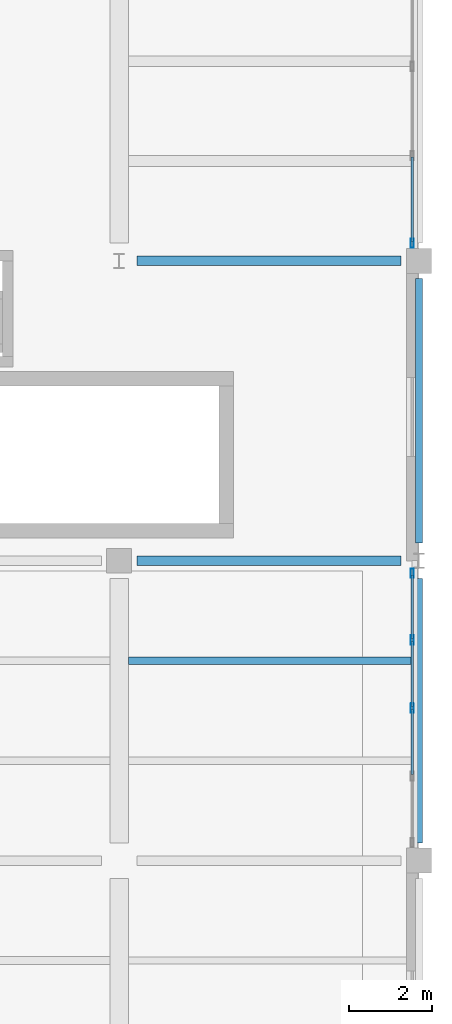
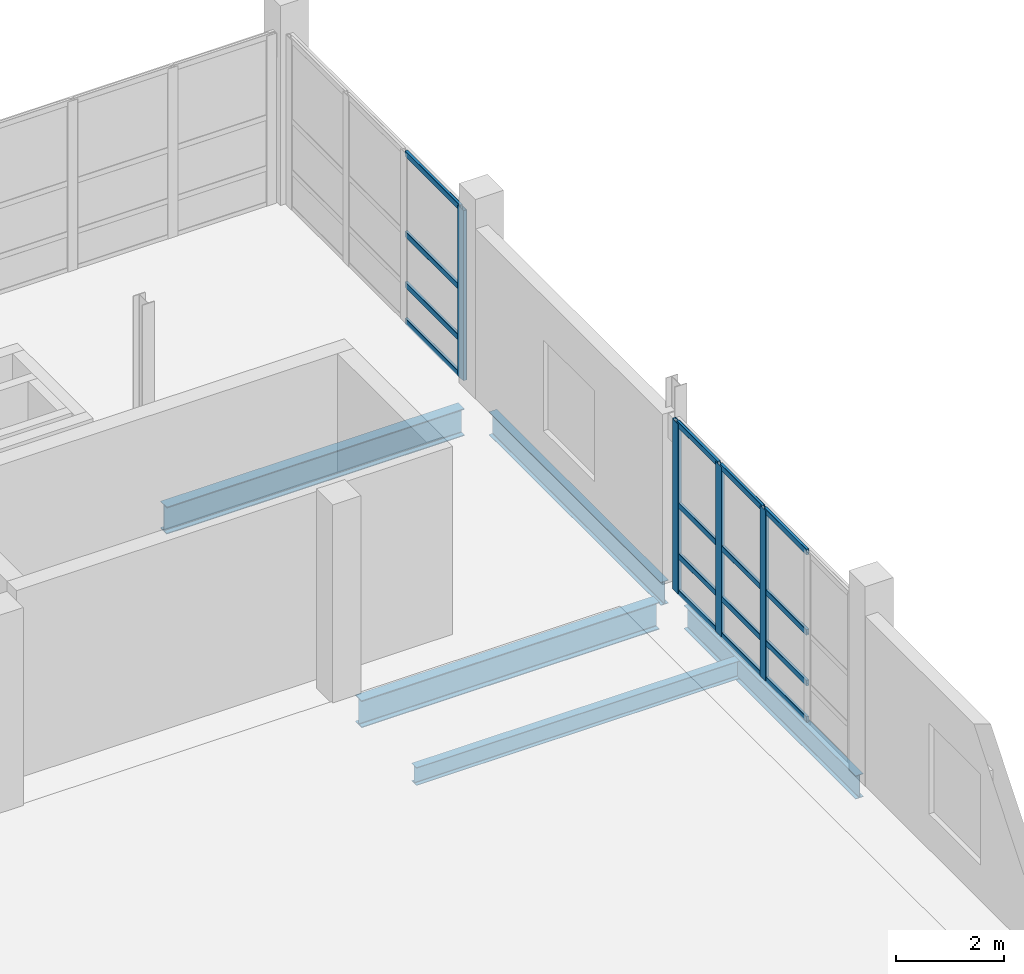
# One storey, part 68 of 123: 20 members, 5 beams, 2 elements without a shape of their own.
"""IFC4 building model written with IfcOpenShell, lengths in metres."""

from ifc_helpers import new_model, si_unit, direction, frame, origin, origin_2d, place, context, subcontext, project, spatial, hollow_rectangle, i_section, extrude, material, material_profile, profile_set, type_object, element, aggregate, save


model = new_model("IFC4")

# Units and contexts
model_context = context("Model", 3, precision=1e-05, world=origin(), true_north=direction((0.0, 1.0)))
body_context = subcontext(model_context, "Body", "Model", "MODEL_VIEW")
ifc_project = project(units=[si_unit("LENGTHUNIT", "METRE"), si_unit("AREAUNIT", "SQUARE_METRE"), si_unit("VOLUMEUNIT", "CUBIC_METRE"), si_unit("PLANEANGLEUNIT", "RADIAN"), si_unit("MASSUNIT", "GRAM", prefix="KILO")], contexts=[model_context])

# Site, building, storey
site_placement = place(None, origin())
site = spatial("IfcSite", under=ifc_project, at=site_placement, CompositionType="ELEMENT")
building_placement = place(site_placement, origin())
building = spatial("IfcBuilding", under=site, at=building_placement, Name="Kalmorath City Hall", CompositionType="ELEMENT")
storey_placement = place(building_placement, frame((0.0, 0.0, 10.199951171875)))
storey = spatial("IfcBuildingStorey", under=building, at=storey_placement, Name="L02", CompositionType="ELEMENT", Elevation=10.199951171875)

# Curtain wall, members
ifc_material_1 = material(Name="Anodised aluminium and laminated glass", Category="aluminium")
curtain_wall_type_1 = type_object("IfcCurtainWallType", Name="Unitised hurricane curtain wall 6420x3835 M1850", PredefinedType="NOTDEFINED", material=ifc_material_1)
curtain_wall_1_placement = place(storey_placement, origin())
curtain_wall_1 = element("IfcCurtainWall", 1, at=curtain_wall_1_placement, inside=storey, type_object=curtain_wall_type_1, Name="L02 curtain wall CW-64X38M18 #117", PredefinedType="NOTDEFINED")
ifc_material_2 = material(Name="Anodised aluminium framing", Category="aluminium")
ifc_material_profile_1 = material_profile(ifc_material_2, hollow_rectangle(XDim=0.06005859375, YDim=0.1298828125, WallThickness=0.00341796875, InnerFilletRadius=0.00341796875, OuterFilletRadius=0.007080078125, at=origin_2d()), Name="ALU-TRN-130X60X3.5")
ifc_profile_set_1 = profile_set([ifc_material_profile_1], Name="Anodised aluminium framing")
member_type_1 = type_object("IfcMemberType", Name="Curtain-wall courtyard transom 130x60", PredefinedType="USERDEFINED", material=ifc_profile_set_1)
member_1_placement = place(storey_placement, frame((165.43994140625, 96.092529296875, 0.030029296875), z_axis=(0.0, -1.0, 0.0), x_axis=(1.0, 0.0, 0.0)))
member_1 = element("IfcMember", 2, at=member_1_placement, type_object=member_type_1, Name="CW-64X38M18 transom 3.1", ObjectType="TRANSOM", PredefinedType="USERDEFINED", context=body_context, shape_type="SweptSolid", body=[
    extrude(hollow_rectangle(XDim=0.06005859375, YDim=0.1298828125, WallThickness=0.00341796875, InnerFilletRadius=0.00341796875, OuterFilletRadius=0.007080078125, at=origin_2d()), origin(), (0.0, 0.0, 1.0), 2.027587890625),
])
member_2_placement = place(storey_placement, frame((165.43994140625, 96.092529296875, 0.85009765625), z_axis=(0.0, -1.0, 0.0), x_axis=(1.0, 0.0, 0.0)))
member_2 = element("IfcMember", 3, at=member_2_placement, type_object=member_type_1, Name="CW-64X38M18 transom 3.2", ObjectType="TRANSOM", PredefinedType="USERDEFINED", context=body_context, shape_type="SweptSolid", body=[
    extrude(hollow_rectangle(XDim=0.06005859375, YDim=0.1298828125, WallThickness=0.00341796875, InnerFilletRadius=0.00341796875, OuterFilletRadius=0.007080078125, at=origin_2d()), origin(), (0.0, 0.0, 1.0), 2.027587890625),
])
member_3_placement = place(storey_placement, frame((165.43994140625, 96.092529296875, 1.994140625), z_axis=(0.0, -1.0, 0.0), x_axis=(1.0, 0.0, 0.0)))
member_3 = element("IfcMember", 4, at=member_3_placement, type_object=member_type_1, Name="CW-64X38M18 transom 3.3", ObjectType="TRANSOM", PredefinedType="USERDEFINED", context=body_context, shape_type="SweptSolid", body=[
    extrude(hollow_rectangle(XDim=0.06005859375, YDim=0.1298828125, WallThickness=0.00341796875, InnerFilletRadius=0.00341796875, OuterFilletRadius=0.007080078125, at=origin_2d()), origin(), (0.0, 0.0, 1.0), 2.027587890625),
])
member_4_placement = place(storey_placement, frame((165.43994140625, 96.092529296875, 3.804931640625), z_axis=(0.0, -1.0, 0.0), x_axis=(1.0, 0.0, 0.0)))
member_4 = element("IfcMember", 5, at=member_4_placement, type_object=member_type_1, Name="CW-64X38M18 transom 3.4", ObjectType="TRANSOM", PredefinedType="USERDEFINED", context=body_context, shape_type="SweptSolid", body=[
    extrude(hollow_rectangle(XDim=0.06005859375, YDim=0.1298828125, WallThickness=0.00341796875, InnerFilletRadius=0.00341796875, OuterFilletRadius=0.007080078125, at=origin_2d()), origin(), (0.0, 0.0, 1.0), 2.027587890625),
])

ifc_material_3 = material(Name="Anodised aluminium and laminated glass", Category="aluminium")
curtain_wall_type_2 = type_object("IfcCurtainWallType", Name="Unitised hurricane curtain wall 6544x3835 M1850", PredefinedType="NOTDEFINED", material=ifc_material_3)
curtain_wall_2_placement = place(storey_placement, origin())
curtain_wall_2 = element("IfcCurtainWall", 6, at=curtain_wall_2_placement, inside=storey, type_object=curtain_wall_type_2, Name="L02 curtain wall CW-65X38M18 #118", PredefinedType="NOTDEFINED")
member_5_placement = place(storey_placement, frame((165.43994140625, 86.05859375, 0.030029296875), z_axis=(0.0, -1.0, 0.0), x_axis=(1.0, 0.0, 0.0)))
member_5 = element("IfcMember", 7, at=member_5_placement, type_object=member_type_1, Name="CW-65X38M18 transom 1.1", ObjectType="TRANSOM", PredefinedType="USERDEFINED", context=body_context, shape_type="SweptSolid", body=[
    extrude(hollow_rectangle(XDim=0.06005859375, YDim=0.1298828125, WallThickness=0.00341796875, InnerFilletRadius=0.00341796875, OuterFilletRadius=0.007080078125, at=origin_2d()), origin(), (0.0, 0.0, 1.0), 1.5234375),
])
member_6_placement = place(storey_placement, frame((165.43994140625, 86.05859375, 0.85009765625), z_axis=(0.0, -1.0, 0.0), x_axis=(1.0, 0.0, 0.0)))
member_6 = element("IfcMember", 8, at=member_6_placement, type_object=member_type_1, Name="CW-65X38M18 transom 1.2", ObjectType="TRANSOM", PredefinedType="USERDEFINED", context=body_context, shape_type="SweptSolid", body=[
    extrude(hollow_rectangle(XDim=0.06005859375, YDim=0.1298828125, WallThickness=0.00341796875, InnerFilletRadius=0.00341796875, OuterFilletRadius=0.007080078125, at=origin_2d()), origin(), (0.0, 0.0, 1.0), 1.5234375),
])
member_7_placement = place(storey_placement, frame((165.43994140625, 86.05859375, 1.994140625), z_axis=(0.0, -1.0, 0.0), x_axis=(1.0, 0.0, 0.0)))
member_7 = element("IfcMember", 9, at=member_7_placement, type_object=member_type_1, Name="CW-65X38M18 transom 1.3", ObjectType="TRANSOM", PredefinedType="USERDEFINED", context=body_context, shape_type="SweptSolid", body=[
    extrude(hollow_rectangle(XDim=0.06005859375, YDim=0.1298828125, WallThickness=0.00341796875, InnerFilletRadius=0.00341796875, OuterFilletRadius=0.007080078125, at=origin_2d()), origin(), (0.0, 0.0, 1.0), 1.5234375),
])
member_8_placement = place(storey_placement, frame((165.43994140625, 86.05859375, 3.804931640625), z_axis=(0.0, -1.0, 0.0), x_axis=(1.0, 0.0, 0.0)))
member_8 = element("IfcMember", 10, at=member_8_placement, type_object=member_type_1, Name="CW-65X38M18 transom 1.4", ObjectType="TRANSOM", PredefinedType="USERDEFINED", context=body_context, shape_type="SweptSolid", body=[
    extrude(hollow_rectangle(XDim=0.06005859375, YDim=0.1298828125, WallThickness=0.00341796875, InnerFilletRadius=0.00341796875, OuterFilletRadius=0.007080078125, at=origin_2d()), origin(), (0.0, 0.0, 1.0), 1.5234375),
])
member_9_placement = place(storey_placement, frame((165.43994140625, 84.460205078125, 0.030029296875), z_axis=(0.0, -1.0, 0.0), x_axis=(1.0, 0.0, 0.0)))
member_9 = element("IfcMember", 11, at=member_9_placement, type_object=member_type_1, Name="CW-65X38M18 transom 2.1", ObjectType="TRANSOM", PredefinedType="USERDEFINED", context=body_context, shape_type="SweptSolid", body=[
    extrude(hollow_rectangle(XDim=0.06005859375, YDim=0.1298828125, WallThickness=0.00341796875, InnerFilletRadius=0.00341796875, OuterFilletRadius=0.007080078125, at=origin_2d()), origin(), (0.0, 0.0, 1.0), 1.56103515625),
])
member_10_placement = place(storey_placement, frame((165.43994140625, 84.460205078125, 0.85009765625), z_axis=(0.0, -1.0, 0.0), x_axis=(1.0, 0.0, 0.0)))
member_10 = element("IfcMember", 12, at=member_10_placement, type_object=member_type_1, Name="CW-65X38M18 transom 2.2", ObjectType="TRANSOM", PredefinedType="USERDEFINED", context=body_context, shape_type="SweptSolid", body=[
    extrude(hollow_rectangle(XDim=0.06005859375, YDim=0.1298828125, WallThickness=0.00341796875, InnerFilletRadius=0.00341796875, OuterFilletRadius=0.007080078125, at=origin_2d()), origin(), (0.0, 0.0, 1.0), 1.56103515625),
])
member_11_placement = place(storey_placement, frame((165.43994140625, 84.460205078125, 1.994140625), z_axis=(0.0, -1.0, 0.0), x_axis=(1.0, 0.0, 0.0)))
member_11 = element("IfcMember", 13, at=member_11_placement, type_object=member_type_1, Name="CW-65X38M18 transom 2.3", ObjectType="TRANSOM", PredefinedType="USERDEFINED", context=body_context, shape_type="SweptSolid", body=[
    extrude(hollow_rectangle(XDim=0.06005859375, YDim=0.1298828125, WallThickness=0.00341796875, InnerFilletRadius=0.00341796875, OuterFilletRadius=0.007080078125, at=origin_2d()), origin(), (0.0, 0.0, 1.0), 1.56103515625),
])
member_12_placement = place(storey_placement, frame((165.43994140625, 84.460205078125, 3.804931640625), z_axis=(0.0, -1.0, 0.0), x_axis=(1.0, 0.0, 0.0)))
member_12 = element("IfcMember", 14, at=member_12_placement, type_object=member_type_1, Name="CW-65X38M18 transom 2.4", ObjectType="TRANSOM", PredefinedType="USERDEFINED", context=body_context, shape_type="SweptSolid", body=[
    extrude(hollow_rectangle(XDim=0.06005859375, YDim=0.1298828125, WallThickness=0.00341796875, InnerFilletRadius=0.00341796875, OuterFilletRadius=0.007080078125, at=origin_2d()), origin(), (0.0, 0.0, 1.0), 1.56103515625),
])
member_13_placement = place(storey_placement, frame((165.43994140625, 82.82421875, 0.030029296875), z_axis=(0.0, -1.0, 0.0), x_axis=(1.0, 0.0, 0.0)))
member_13 = element("IfcMember", 15, at=member_13_placement, type_object=member_type_1, Name="CW-65X38M18 transom 3.1", ObjectType="TRANSOM", PredefinedType="USERDEFINED", context=body_context, shape_type="SweptSolid", body=[
    extrude(hollow_rectangle(XDim=0.06005859375, YDim=0.1298828125, WallThickness=0.00341796875, InnerFilletRadius=0.00341796875, OuterFilletRadius=0.007080078125, at=origin_2d()), origin(), (0.0, 0.0, 1.0), 1.560791015625),
])
member_14_placement = place(storey_placement, frame((165.43994140625, 82.82421875, 0.85009765625), z_axis=(0.0, -1.0, 0.0), x_axis=(1.0, 0.0, 0.0)))
member_14 = element("IfcMember", 16, at=member_14_placement, type_object=member_type_1, Name="CW-65X38M18 transom 3.2", ObjectType="TRANSOM", PredefinedType="USERDEFINED", context=body_context, shape_type="SweptSolid", body=[
    extrude(hollow_rectangle(XDim=0.06005859375, YDim=0.1298828125, WallThickness=0.00341796875, InnerFilletRadius=0.00341796875, OuterFilletRadius=0.007080078125, at=origin_2d()), origin(), (0.0, 0.0, 1.0), 1.560791015625),
])
member_15_placement = place(storey_placement, frame((165.43994140625, 82.82421875, 1.994140625), z_axis=(0.0, -1.0, 0.0), x_axis=(1.0, 0.0, 0.0)))
member_15 = element("IfcMember", 17, at=member_15_placement, type_object=member_type_1, Name="CW-65X38M18 transom 3.3", ObjectType="TRANSOM", PredefinedType="USERDEFINED", context=body_context, shape_type="SweptSolid", body=[
    extrude(hollow_rectangle(XDim=0.06005859375, YDim=0.1298828125, WallThickness=0.00341796875, InnerFilletRadius=0.00341796875, OuterFilletRadius=0.007080078125, at=origin_2d()), origin(), (0.0, 0.0, 1.0), 1.560791015625),
])
member_16_placement = place(storey_placement, frame((165.43994140625, 82.82421875, 3.804931640625), z_axis=(0.0, -1.0, 0.0), x_axis=(1.0, 0.0, 0.0)))
member_16 = element("IfcMember", 18, at=member_16_placement, type_object=member_type_1, Name="CW-65X38M18 transom 3.4", ObjectType="TRANSOM", PredefinedType="USERDEFINED", context=body_context, shape_type="SweptSolid", body=[
    extrude(hollow_rectangle(XDim=0.06005859375, YDim=0.1298828125, WallThickness=0.00341796875, InnerFilletRadius=0.00341796875, OuterFilletRadius=0.007080078125, at=origin_2d()), origin(), (0.0, 0.0, 1.0), 1.560791015625),
])

# Member
ifc_material_4 = material(Name="Anodised aluminium framing", Category="aluminium")
ifc_material_profile_2 = material_profile(ifc_material_4, hollow_rectangle(XDim=0.074951171875, YDim=0.219970703125, WallThickness=0.00390625, InnerFilletRadius=0.00390625, OuterFilletRadius=0.008056640625, at=origin_2d()), Name="ALU-MUL-220X75X4")
ifc_profile_set_2 = profile_set([ifc_material_profile_2], Name="Anodised aluminium framing")
member_type_2 = type_object("IfcMemberType", Name="Curtain-wall primary mullion 220x75", PredefinedType="MULLION", material=ifc_profile_set_2)
member_17_placement = place(storey_placement, frame((165.43994140625, 94.027587890625, 0.0), z_axis=(0.0, 0.0, 1.0), x_axis=(1.0, 0.0, 0.0)))
member_17 = element("IfcMember", 19, at=member_17_placement, type_object=member_type_2, Name="CW-64X38M18 mullion 4", PredefinedType="MULLION", context=body_context, shape_type="SweptSolid", body=[
    extrude(hollow_rectangle(XDim=0.074951171875, YDim=0.219970703125, WallThickness=0.00390625, InnerFilletRadius=0.00390625, OuterFilletRadius=0.008056640625, at=origin_2d()), origin(), (0.0, 0.0, 1.0), 3.8349609375),
])

aggregate(curtain_wall_1, [member_17, member_1, member_2, member_3, member_4])

member_18_placement = place(storey_placement, frame((165.43994140625, 86.095947265625, 0.0), z_axis=(0.0, 0.0, 1.0), x_axis=(1.0, 0.0, 0.0)))
member_18 = element("IfcMember", 20, at=member_18_placement, type_object=member_type_2, Name="CW-65X38M18 mullion 1", PredefinedType="MULLION", context=body_context, shape_type="SweptSolid", body=[
    extrude(hollow_rectangle(XDim=0.074951171875, YDim=0.219970703125, WallThickness=0.00390625, InnerFilletRadius=0.00390625, OuterFilletRadius=0.008056640625, at=origin_2d()), origin(), (0.0, 0.0, 1.0), 3.8349609375),
])

member_19_placement = place(storey_placement, frame((165.43994140625, 84.49755859375, 0.0), z_axis=(0.0, 0.0, 1.0), x_axis=(1.0, 0.0, 0.0)))
member_19 = element("IfcMember", 21, at=member_19_placement, type_object=member_type_2, Name="CW-65X38M18 mullion 2", PredefinedType="MULLION", context=body_context, shape_type="SweptSolid", body=[
    extrude(hollow_rectangle(XDim=0.074951171875, YDim=0.219970703125, WallThickness=0.00390625, InnerFilletRadius=0.00390625, OuterFilletRadius=0.008056640625, at=origin_2d()), origin(), (0.0, 0.0, 1.0), 3.8349609375),
])

member_20_placement = place(storey_placement, frame((165.43994140625, 82.86181640625, 0.0), z_axis=(0.0, 0.0, 1.0), x_axis=(1.0, 0.0, 0.0)))
member_20 = element("IfcMember", 22, at=member_20_placement, type_object=member_type_2, Name="CW-65X38M18 mullion 3", PredefinedType="MULLION", context=body_context, shape_type="SweptSolid", body=[
    extrude(hollow_rectangle(XDim=0.074951171875, YDim=0.219970703125, WallThickness=0.00390625, InnerFilletRadius=0.00390625, OuterFilletRadius=0.008056640625, at=origin_2d()), origin(), (0.0, 0.0, 1.0), 3.8349609375),
])

aggregate(curtain_wall_2, [member_18, member_19, member_20, member_5, member_6, member_7, member_8, member_9, member_10, member_11, member_12, member_13, member_14, member_15, member_16])

# Beams
ifc_material_5 = material(Name="Steel ASTM A992 Grade 50", Category="steel")
ifc_material_profile_3 = material_profile(ifc_material_5, i_section(OverallWidth=0.177001953125, OverallDepth=0.403076171875, WebThickness=0.007568359375, FlangeThickness=0.010986328125, FilletRadius=0.012939453125, at=origin_2d()), Name="W16X36")
ifc_profile_set_3 = profile_set([ifc_material_profile_3], Name="Steel ASTM A992 Grade 50")
beam_type_1 = type_object("IfcBeamType", Name="Steel composite joist W16X36", PredefinedType="JOIST", material=ifc_profile_set_3)
beam_placement = place(storey_placement, frame((158.625, 84.0, -0.4853515625), z_axis=(1.0, 0.0, 0.0), x_axis=(0.0, 1.0, 0.0)))
element("IfcBeam", 23, at=beam_placement, inside=storey, type_object=beam_type_1, Name="L02 joist SJ7 23.12.2", PredefinedType="JOIST", context=body_context, shape_type="SweptSolid", body=[
    extrude(i_section(OverallWidth=0.177001953125, OverallDepth=0.403076171875, WebThickness=0.007568359375, FlangeThickness=0.010986328125, FilletRadius=0.012939453125, at=origin_2d()), origin(), (0.0, 0.0, 1.0), 6.892578125),
])
ifc_material_6 = material(Name="Steel ASTM A992 Grade 50", Category="steel")
ifc_material_profile_4 = material_profile(ifc_material_6, i_section(OverallWidth=0.22900390625, OverallDepth=0.612060546875, WebThickness=0.011962890625, FlangeThickness=0.01953125, FilletRadius=0.01611328125, at=origin_2d()), Name="W24X84")
ifc_profile_set_4 = profile_set([ifc_material_profile_4], Name="Steel ASTM A992 Grade 50")
beam_type_2 = type_object("IfcBeamType", Name="Steel floor girder W24X84", PredefinedType="BEAM", material=ifc_profile_set_4)
for number, where, z_axis, x_axis, name in (
    (24, (158.824951171875, 86.39990234375, -0.58984375), (1.0, 0.0, 0.0), (0.0, 1.0, 0.0), "L02 girder SG8 X23-24/13"),
    (25, (158.824951171875, 93.60009765625, -0.58984375), (1.0, 0.0, 0.0), (0.0, 1.0, 0.0), "L02 girder SG8 X23-24/14"),
):
    element("IfcBeam", number, at=place(storey_placement, frame(where, z_axis=z_axis, x_axis=x_axis)), inside=storey, type_object=beam_type_2, Name=name, PredefinedType="BEAM", context=body_context, shape_type="SweptSolid", body=[
        extrude(i_section(OverallWidth=0.22900390625, OverallDepth=0.612060546875, WebThickness=0.011962890625, FlangeThickness=0.01953125, FilletRadius=0.01611328125, at=origin_2d()), origin(), (0.0, 0.0, 1.0), 6.35009765625),
    ])
ifc_material_7 = material(Name="Steel ASTM A992 Grade 50", Category="steel")
ifc_material_profile_5 = material_profile(ifc_material_7, i_section(OverallWidth=0.1650390625, OverallDepth=0.52490234375, WebThickness=0.0087890625, FlangeThickness=0.011474609375, FilletRadius=0.014892578125, at=origin_2d()), Name="W21X44")
ifc_profile_set_5 = profile_set([ifc_material_profile_5], Name="Steel ASTM A992 Grade 50")
beam_type_3 = type_object("IfcBeamType", Name="Steel spandrel beam W21X44", PredefinedType="SPANDREL", material=ifc_profile_set_5)
for number, where, z_axis, x_axis, name in (
    (26, (165.60009765625, 79.625, -0.54638671875), (0.0, 1.0, 0.0), (-1.0, 0.0, 0.0), "L02 girder SB4 Y24/12-13"),
    (27, (165.60009765625, 86.824951171875, -0.54638671875), (0.0, 1.0, 0.0), (-1.0, 0.0, 0.0), "L02 girder SB4 Y24/13-14"),
):
    element("IfcBeam", number, at=place(storey_placement, frame(where, z_axis=z_axis, x_axis=x_axis)), inside=storey, type_object=beam_type_3, Name=name, PredefinedType="SPANDREL", context=body_context, shape_type="SweptSolid", body=[
        extrude(i_section(OverallWidth=0.1650390625, OverallDepth=0.52490234375, WebThickness=0.0087890625, FlangeThickness=0.011474609375, FilletRadius=0.014892578125, at=origin_2d()), origin(), (0.0, 0.0, 1.0), 6.35009765625),
    ])

save(model, "model.ifc")
